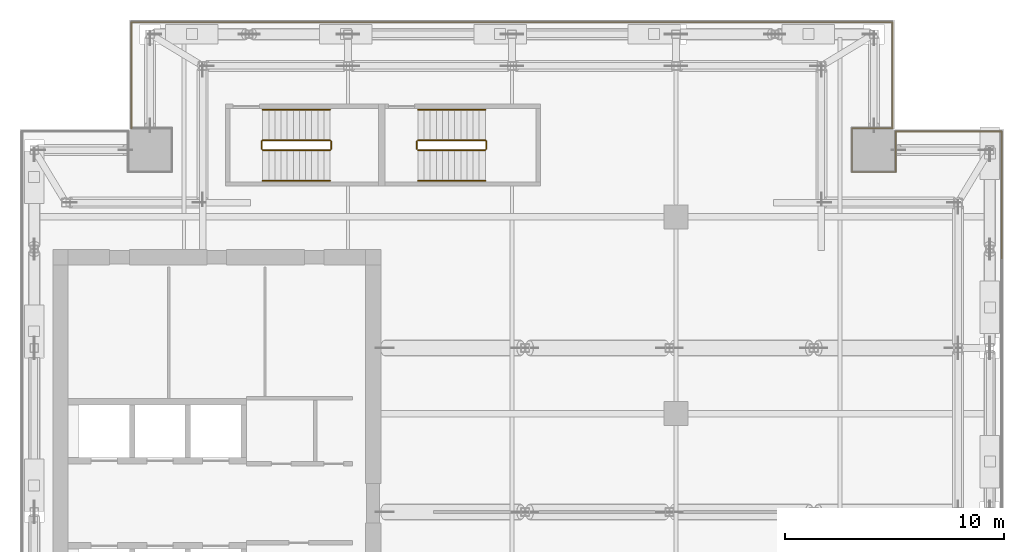
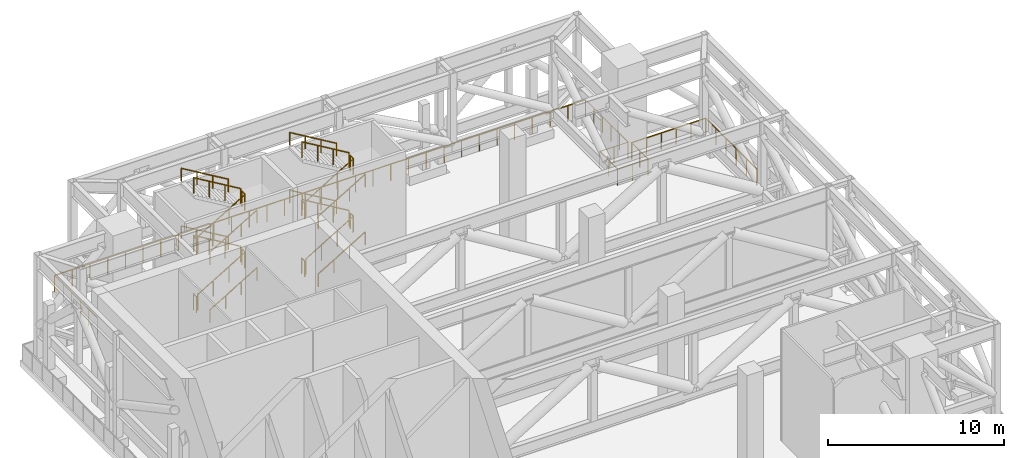
# One storey, part 14 of 15: 36 railings.
"""IFC4 building model written with IfcOpenShell, lengths in metres."""

from ifc_helpers import new_model, si_unit, direction, frame, origin, origin_2d, place, context, subcontext, project, spatial, circle, extrude, source, transform, mapped, material, type_object, element, save


model = new_model("IFC4")

# Units and contexts
model_context = context("Model", 3, precision=1e-05, world=origin(), true_north=direction((0.0, 1.0)))
body_context = subcontext(model_context, "Body", "Model", "MODEL_VIEW")
ifc_project = project(units=[si_unit("LENGTHUNIT", "METRE"), si_unit("AREAUNIT", "SQUARE_METRE"), si_unit("VOLUMEUNIT", "CUBIC_METRE"), si_unit("PLANEANGLEUNIT", "RADIAN"), si_unit("MASSUNIT", "GRAM", prefix="KILO")], contexts=[model_context])

# Site, building, storey
site_placement = place(None, origin())
site = spatial("IfcSite", under=ifc_project, at=site_placement, CompositionType="ELEMENT")
building_placement = place(site_placement, origin())
building = spatial("IfcBuilding", under=site, at=building_placement, Name="Khomas Fold Tower", CompositionType="ELEMENT")
storey_placement = place(building_placement, frame((0.0, 0.0, 274.199951171875)))
storey = spatial("IfcBuildingStorey", under=building, at=storey_placement, Name="L62", CompositionType="ELEMENT", Elevation=274.199951171875)

# Railings
ifc_material_1 = material(Name="Powder-coated steel", Category="steel")
railing_type_1 = type_object("IfcRailingType", Name="Balcony guard", PredefinedType="GUARDRAIL", material=ifc_material_1)
shared_shape_1 = source(origin(), body_context, "Body", "SweptSolid", [
    extrude(circle(Radius=0.02490234375, at=origin_2d()), frame((0.0, 0.0, 1.125), z_axis=(1.0, 0.0, 0.0), x_axis=(0.0, 1.0, 0.0)), (0.0, 0.0, 1.0), 4.849853515625),
    extrude(circle(Radius=0.02001953125, at=origin_2d()), origin(), (0.0, 0.0, 1.0), 1.099853515625),
    extrude(circle(Radius=0.02001953125, at=origin_2d()), frame((0.969970703125, 0.0, 0.0)), (0.0, 0.0, 1.0), 1.099853515625),
    extrude(circle(Radius=0.02001953125, at=origin_2d()), frame((1.93994140625, 0.0, 0.0)), (0.0, 0.0, 1.0), 1.099853515625),
    extrude(circle(Radius=0.02001953125, at=origin_2d()), frame((2.909912109375, 0.0, 0.0)), (0.0, 0.0, 1.0), 1.099853515625),
    extrude(circle(Radius=0.02001953125, at=origin_2d()), frame((3.8798828125, 0.0, 0.0)), (0.0, 0.0, 1.0), 1.099853515625),
    extrude(circle(Radius=0.02001953125, at=origin_2d()), frame((4.849853515625, 0.0, 0.0)), (0.0, 0.0, 1.0), 1.099853515625),
])
railing_1_placement = place(storey_placement, frame((44.550048828125, 44.39990234375, 0.0)))
element("IfcRailing", 1, at=railing_1_placement, inside=storey, type_object=railing_type_1, Name="GUARD 221", PredefinedType="GUARDRAIL", context=body_context, shape_type="MappedRepresentation", body=[
    mapped(shared_shape_1, transform((0.0, 0.0, 0.0))),
])
shared_shape_2 = source(origin(), body_context, "Body", "SweptSolid", [
    extrude(circle(Radius=0.02490234375, at=origin_2d()), frame((0.0, 0.0, 1.125), z_axis=(0.0, 1.0, 0.0), x_axis=(-1.0, 0.0, 0.0)), (0.0, 0.0, 1.0), 4.849853515625),
    extrude(circle(Radius=0.02001953125, at=origin_2d()), origin(), (0.0, 0.0, 1.0), 1.099853515625),
    extrude(circle(Radius=0.02001953125, at=origin_2d()), frame((0.0, 0.969970703125, 0.0)), (0.0, 0.0, 1.0), 1.099853515625),
    extrude(circle(Radius=0.02001953125, at=origin_2d()), frame((0.0, 1.93994140625, 0.0)), (0.0, 0.0, 1.0), 1.099853515625),
    extrude(circle(Radius=0.02001953125, at=origin_2d()), frame((0.0, 2.909912109375, 0.0)), (0.0, 0.0, 1.0), 1.099853515625),
    extrude(circle(Radius=0.02001953125, at=origin_2d()), frame((0.0, 3.8798828125, 0.0)), (0.0, 0.0, 1.0), 1.099853515625),
    extrude(circle(Radius=0.02001953125, at=origin_2d()), frame((0.0, 4.849853515625, 0.0)), (0.0, 0.0, 1.0), 1.099853515625),
])
railing_2_placement = place(storey_placement, frame((9.60009765625, 44.550048828125, 0.0)))
element("IfcRailing", 2, at=railing_2_placement, inside=storey, type_object=railing_type_1, Name="GUARD 221", PredefinedType="GUARDRAIL", context=body_context, shape_type="MappedRepresentation", body=[
    mapped(shared_shape_2, transform((0.0, 0.0, 0.0))),
])
shared_shape_3 = source(origin(), body_context, "Body", "SweptSolid", [
    extrude(circle(Radius=0.02490234375, at=origin_2d()), frame((0.0, 0.0, 1.125), z_axis=(1.0, 0.0, 0.0), x_axis=(0.0, 1.0, 0.0)), (0.0, 0.0, 1.0), 5.7998046875),
    extrude(circle(Radius=0.02001953125, at=origin_2d()), origin(), (0.0, 0.0, 1.0), 1.099853515625),
    extrude(circle(Radius=0.02001953125, at=origin_2d()), frame((1.159912109375, 0.0, 0.0)), (0.0, 0.0, 1.0), 1.099853515625),
    extrude(circle(Radius=0.02001953125, at=origin_2d()), frame((2.31982421875, 0.0, 0.0)), (0.0, 0.0, 1.0), 1.099853515625),
    extrude(circle(Radius=0.02001953125, at=origin_2d()), frame((3.47998046875, 0.0, 0.0)), (0.0, 0.0, 1.0), 1.099853515625),
    extrude(circle(Radius=0.02001953125, at=origin_2d()), frame((4.639892578125, 0.0, 0.0)), (0.0, 0.0, 1.0), 1.099853515625),
    extrude(circle(Radius=0.02001953125, at=origin_2d()), frame((5.7998046875, 0.0, 0.0)), (0.0, 0.0, 1.0), 1.099853515625),
])
for number, where, name in (
    (3, (9.60009765625, 49.39990234375, 0.0), "GUARD 221"),
    (4, (38.60009765625, 49.39990234375, 0.0), "GUARD 221"),
):
    element("IfcRailing", number, at=place(storey_placement, frame(where)), inside=storey, type_object=railing_type_1, Name=name, PredefinedType="GUARDRAIL", context=body_context, shape_type="MappedRepresentation", body=[
        mapped(shared_shape_3, transform((0.0, 0.0, 0.0))),
    ])
shared_shape_4 = source(origin(), body_context, "Body", "SweptSolid", [
    extrude(circle(Radius=0.02490234375, at=origin_2d()), frame((0.0, 0.0, 1.125), z_axis=(1.0, 0.0, 0.0), x_axis=(0.0, 1.0, 0.0)), (0.0, 0.0, 1.0), 5.800048828125),
    extrude(circle(Radius=0.02001953125, at=origin_2d()), origin(), (0.0, 0.0, 1.0), 1.099853515625),
    extrude(circle(Radius=0.02001953125, at=origin_2d()), frame((1.159912109375, 0.0, 0.0)), (0.0, 0.0, 1.0), 1.099853515625),
    extrude(circle(Radius=0.02001953125, at=origin_2d()), frame((2.320068359375, 0.0, 0.0)), (0.0, 0.0, 1.0), 1.099853515625),
    extrude(circle(Radius=0.02001953125, at=origin_2d()), frame((3.47998046875, 0.0, 0.0)), (0.0, 0.0, 1.0), 1.099853515625),
    extrude(circle(Radius=0.02001953125, at=origin_2d()), frame((4.64013671875, 0.0, 0.0)), (0.0, 0.0, 1.0), 1.099853515625),
    extrude(circle(Radius=0.02001953125, at=origin_2d()), frame((5.800048828125, 0.0, 0.0)), (0.0, 0.0, 1.0), 1.099853515625),
])
for number, where, name in (
    (5, (15.39990234375, 49.39990234375, 0.0), "GUARD 221"),
    (6, (21.199951171875, 49.39990234375, 0.0), "GUARD 221"),
    (7, (27.0, 49.39990234375, 0.0), "GUARD 221"),
    (8, (32.800048828125, 49.39990234375, 0.0), "GUARD 221"),
):
    element("IfcRailing", number, at=place(storey_placement, frame(where)), inside=storey, type_object=railing_type_1, Name=name, PredefinedType="GUARDRAIL", context=body_context, shape_type="MappedRepresentation", body=[
        mapped(shared_shape_4, transform((0.0, 0.0, 0.0))),
    ])
shared_shape_5 = source(origin(), body_context, "Body", "SweptSolid", [
    extrude(circle(Radius=0.02490234375, at=origin_2d()), frame((0.0, 0.0, 1.125), z_axis=(0.0, -1.0, 0.0), x_axis=(1.0, 0.0, 0.0)), (0.0, 0.0, 1.0), 4.849853515625),
    extrude(circle(Radius=0.02001953125, at=origin_2d()), origin(), (0.0, 0.0, 1.0), 1.099853515625),
    extrude(circle(Radius=0.02001953125, at=origin_2d()), frame((0.0, -0.969970703125, 0.0)), (0.0, 0.0, 1.0), 1.099853515625),
    extrude(circle(Radius=0.02001953125, at=origin_2d()), frame((0.0, -1.93994140625, 0.0)), (0.0, 0.0, 1.0), 1.099853515625),
    extrude(circle(Radius=0.02001953125, at=origin_2d()), frame((0.0, -2.909912109375, 0.0)), (0.0, 0.0, 1.0), 1.099853515625),
    extrude(circle(Radius=0.02001953125, at=origin_2d()), frame((0.0, -3.8798828125, 0.0)), (0.0, 0.0, 1.0), 1.099853515625),
    extrude(circle(Radius=0.02001953125, at=origin_2d()), frame((0.0, -4.849853515625, 0.0)), (0.0, 0.0, 1.0), 1.099853515625),
])
railing_3_placement = place(storey_placement, frame((44.39990234375, 49.39990234375, 0.0)))
element("IfcRailing", 9, at=railing_3_placement, inside=storey, type_object=railing_type_1, Name="GUARD 221", PredefinedType="GUARDRAIL", context=body_context, shape_type="MappedRepresentation", body=[
    mapped(shared_shape_5, transform((0.0, 0.0, 0.0))),
])
shared_shape_6 = source(origin(), body_context, "Body", "SweptSolid", [
    extrude(circle(Radius=0.02490234375, at=origin_2d()), frame((0.0, 0.0, 1.125), z_axis=(-1.0, 0.0, 0.0), x_axis=(0.0, -1.0, 0.0)), (0.0, 0.0, 1.0), 1.849853515625),
    extrude(circle(Radius=0.02490234375, at=origin_2d()), frame((-1.849853515625, 0.0, 1.125), z_axis=(0.0, -1.0, 0.0), x_axis=(1.0, 0.0, 0.0)), (0.0, 0.0, 1.0), 2.0),
    extrude(circle(Radius=0.02490234375, at=origin_2d()), frame((-1.849853515625, -2.0, 1.125), z_axis=(1.0, 0.0, 0.0), x_axis=(0.0, 1.0, 0.0)), (0.0, 0.0, 1.0), 2.0),
    extrude(circle(Radius=0.02001953125, at=origin_2d()), origin(), (0.0, 0.0, 1.0), 1.099853515625),
    extrude(circle(Radius=0.02001953125, at=origin_2d()), frame((-0.9248046875, 0.0, 0.0)), (0.0, 0.0, 1.0), 1.099853515625),
    extrude(circle(Radius=0.02001953125, at=origin_2d()), frame((-1.849853515625, 0.0, 0.0)), (0.0, 0.0, 1.0), 1.099853515625),
    extrude(circle(Radius=0.02001953125, at=origin_2d()), frame((-1.849853515625, -1.0, 0.0)), (0.0, 0.0, 1.0), 1.099853515625),
    extrude(circle(Radius=0.02001953125, at=origin_2d()), frame((-1.849853515625, -2.0, 0.0)), (0.0, 0.0, 1.0), 1.099853515625),
    extrude(circle(Radius=0.02001953125, at=origin_2d()), frame((-0.849853515625, -2.0, 0.0)), (0.0, 0.0, 1.0), 1.099853515625),
    extrude(circle(Radius=0.02001953125, at=origin_2d()), frame((0.150146484375, -2.0, 0.0)), (0.0, 0.0, 1.0), 1.099853515625),
])
railing_4_placement = place(storey_placement, frame((44.39990234375, 44.550048828125, 0.0)))
element("IfcRailing", 10, at=railing_4_placement, inside=storey, type_object=railing_type_1, Name="GUARD 221", PredefinedType="GUARDRAIL", context=body_context, shape_type="MappedRepresentation", body=[
    mapped(shared_shape_6, transform((0.0, 0.0, 0.0))),
])
shared_shape_7 = source(origin(), body_context, "Body", "SweptSolid", [
    extrude(circle(Radius=0.02490234375, at=origin_2d()), frame((0.0, 0.0, 1.125), z_axis=(0.0, 1.0, 0.0), x_axis=(-1.0, 0.0, 0.0)), (0.0, 0.0, 1.0), 1.849853515625),
    extrude(circle(Radius=0.02001953125, at=origin_2d()), origin(), (0.0, 0.0, 1.0), 1.099853515625),
    extrude(circle(Radius=0.02001953125, at=origin_2d()), frame((0.0, 0.9248046875, 0.0)), (0.0, 0.0, 1.0), 1.099853515625),
    extrude(circle(Radius=0.02001953125, at=origin_2d()), frame((0.0, 1.849853515625, 0.0)), (0.0, 0.0, 1.0), 1.099853515625),
])
railing_5_placement = place(storey_placement, frame((44.550048828125, 42.550048828125, 0.0)))
element("IfcRailing", 11, at=railing_5_placement, inside=storey, type_object=railing_type_1, Name="GUARD 221", PredefinedType="GUARDRAIL", context=body_context, shape_type="MappedRepresentation", body=[
    mapped(shared_shape_7, transform((0.0, 0.0, 0.0))),
])
shared_shape_8 = source(origin(), body_context, "Body", "SweptSolid", [
    extrude(circle(Radius=0.02490234375, at=origin_2d()), frame((0.0, 0.0, 1.125), z_axis=(0.0, -1.0, 0.0), x_axis=(1.0, 0.0, 0.0)), (0.0, 0.0, 1.0), 5.7998046875),
    extrude(circle(Radius=0.02001953125, at=origin_2d()), origin(), (0.0, 0.0, 1.0), 1.099853515625),
    extrude(circle(Radius=0.02001953125, at=origin_2d()), frame((0.0, -1.159912109375, 0.0)), (0.0, 0.0, 1.0), 1.099853515625),
    extrude(circle(Radius=0.02001953125, at=origin_2d()), frame((0.0, -2.31982421875, 0.0)), (0.0, 0.0, 1.0), 1.099853515625),
    extrude(circle(Radius=0.02001953125, at=origin_2d()), frame((0.0, -3.47998046875, 0.0)), (0.0, 0.0, 1.0), 1.099853515625),
    extrude(circle(Radius=0.02001953125, at=origin_2d()), frame((0.0, -4.639892578125, 0.0)), (0.0, 0.0, 1.0), 1.099853515625),
    extrude(circle(Radius=0.02001953125, at=origin_2d()), frame((0.0, -5.7998046875, 0.0)), (0.0, 0.0, 1.0), 1.099853515625),
])
railing_6_placement = place(storey_placement, frame((49.39990234375, 44.39990234375, 0.0)))
element("IfcRailing", 12, at=railing_6_placement, inside=storey, type_object=railing_type_1, Name="GUARD 221", PredefinedType="GUARDRAIL", context=body_context, shape_type="MappedRepresentation", body=[
    mapped(shared_shape_8, transform((0.0, 0.0, 0.0))),
])
ifc_material_2 = material(Name="Steel balustrade", Category="steel")
railing_type_2 = type_object("IfcRailingType", Name="Stair guard", PredefinedType="GUARDRAIL", material=ifc_material_2)
shared_shape_9 = source(origin(), body_context, "Body", "SweptSolid", [
    extrude(circle(Radius=0.02392578125, at=origin_2d()), frame((0.0, 0.0, 1.076171875), z_axis=(0.0, 1.0, 0.0), x_axis=(-1.0, 0.0, 0.0)), (0.0, 0.0, 1.0), 0.349853515625),
    extrude(circle(Radius=0.02099609375, at=origin_2d()), origin(), (0.0, 0.0, 1.0), 1.052001953125),
    extrude(circle(Radius=0.02099609375, at=origin_2d()), frame((0.0, 0.349853515625, 0.0)), (0.0, 0.0, 1.0), 1.052001953125),
])
for number, where, name in (
    (13, (18.72998046875, 43.60009765625, 2.0), "L62 ST1 stair guard 2"),
    (14, (15.550048828125, 43.60009765625, 4.0), "L62 ST1 stair guard 4"),
    (15, (18.72998046875, 43.60009765625, 6.0), "L62 ST1 stair guard 6"),
    (16, (15.550048828125, 43.60009765625, 0.0), "L62 ST1 stair guard 8"),
    (17, (25.830078125, 43.60009765625, 2.0), "L62 ST3 stair guard 2"),
    (18, (22.64990234375, 43.60009765625, 4.0), "L62 ST3 stair guard 4"),
    (19, (25.830078125, 43.60009765625, 6.0), "L62 ST3 stair guard 6"),
    (20, (22.64990234375, 43.60009765625, 0.0), "L62 ST3 stair guard 8"),
):
    element("IfcRailing", number, at=place(storey_placement, frame(where)), inside=storey, type_object=railing_type_2, Name=name, PredefinedType="GUARDRAIL", context=body_context, shape_type="MappedRepresentation", body=[
        mapped(shared_shape_9, transform((0.0, 0.0, 0.0))),
    ])
shared_shape_10 = source(origin(), body_context, "Body", "SweptSolid", [
    extrude(circle(Radius=0.02392578125, at=origin_2d()), frame((0.0, 0.0, 1.076171875), z_axis=(0.859290745958, 0.0, 0.51148745235), x_axis=(0.0, 1.0, 0.0)), (0.0, 0.0, 1.0), 3.584228515625),
    extrude(circle(Radius=0.02099609375, at=origin_2d()), origin(), (0.0, 0.0, 1.0), 1.052001953125),
    extrude(circle(Radius=0.02099609375, at=origin_2d()), frame((1.026611328125, 0.0, 0.611083984375)), (0.0, 0.0, 1.0), 1.052001953125),
    extrude(circle(Radius=0.02099609375, at=origin_2d()), frame((2.05322265625, 0.0, 1.22216796875)), (0.0, 0.0, 1.0), 1.052001953125),
    extrude(circle(Radius=0.02099609375, at=origin_2d()), frame((3.079833984375, 0.0, 1.833251953125)), (0.0, 0.0, 1.0), 1.052001953125),
])
for number, where, name in (
    (21, (15.60009765625, 43.550048828125, 0.166748046875), "L62 ST1 stair guard 1"),
    (22, (15.60009765625, 43.550048828125, 4.166748046875), "L62 ST1 stair guard 5"),
):
    element("IfcRailing", number, at=place(storey_placement, frame(where)), inside=storey, type_object=railing_type_2, Name=name, PredefinedType="GUARDRAIL", context=body_context, shape_type="MappedRepresentation", body=[
        mapped(shared_shape_10, transform((0.0, 0.0, 0.0))),
    ])
shared_shape_11 = source(origin(), body_context, "Body", "SweptSolid", [
    extrude(circle(Radius=0.02392578125, at=origin_2d()), frame((0.0, 0.0, 1.076171875), z_axis=(-0.859290745958, 0.0, 0.51148745235), x_axis=(0.0, -1.0, 0.0)), (0.0, 0.0, 1.0), 3.584228515625),
    extrude(circle(Radius=0.02099609375, at=origin_2d()), origin(), (0.0, 0.0, 1.0), 1.052001953125),
    extrude(circle(Radius=0.02099609375, at=origin_2d()), frame((-1.026611328125, 0.0, 0.611083984375)), (0.0, 0.0, 1.0), 1.052001953125),
    extrude(circle(Radius=0.02099609375, at=origin_2d()), frame((-2.05322265625, 0.0, 1.22216796875)), (0.0, 0.0, 1.0), 1.052001953125),
    extrude(circle(Radius=0.02099609375, at=origin_2d()), frame((-3.079833984375, 0.0, 1.833251953125)), (0.0, 0.0, 1.0), 1.052001953125),
])
for number, where, name in (
    (23, (18.679931640625, 44.0, 2.166748046875), "L62 ST1 stair guard 3"),
    (24, (18.679931640625, 44.0, 6.166748046875), "L62 ST1 stair guard 7"),
):
    element("IfcRailing", number, at=place(storey_placement, frame(where)), inside=storey, type_object=railing_type_2, Name=name, PredefinedType="GUARDRAIL", context=body_context, shape_type="MappedRepresentation", body=[
        mapped(shared_shape_11, transform((0.0, 0.0, 0.0))),
    ])
ifc_material_3 = material(Name="Steel handrail", Category="steel")
railing_type_3 = type_object("IfcRailingType", Name="Stair handrail", PredefinedType="HANDRAIL", material=ifc_material_3)
shared_shape_12 = source(origin(), body_context, "Body", "SweptSolid", [
    extrude(circle(Radius=0.02392578125, at=origin_2d()), frame((0.0, 0.0, 0.8759765625), z_axis=(0.859290745958, 0.0, 0.51148745235), x_axis=(0.0, 1.0, 0.0)), (0.0, 0.0, 1.0), 3.584228515625),
    extrude(circle(Radius=0.02099609375, at=origin_2d()), origin(), (0.0, 0.0, 1.0), 0.851806640625),
    extrude(circle(Radius=0.02099609375, at=origin_2d()), frame((1.026611328125, 0.0, 0.611083984375)), (0.0, 0.0, 1.0), 0.851806640625),
    extrude(circle(Radius=0.02099609375, at=origin_2d()), frame((2.05322265625, 0.0, 1.22216796875)), (0.0, 0.0, 1.0), 0.851806640625),
    extrude(circle(Radius=0.02099609375, at=origin_2d()), frame((3.079833984375, 0.0, 1.833251953125)), (0.0, 0.0, 1.0), 0.851806640625),
])
for number, where, name in (
    (25, (15.60009765625, 42.14990234375, 0.166748046875), "L62 ST1 stair handrail 1"),
    (26, (15.60009765625, 42.14990234375, 4.166748046875), "L62 ST1 stair handrail 3"),
):
    element("IfcRailing", number, at=place(storey_placement, frame(where)), inside=storey, type_object=railing_type_3, Name=name, PredefinedType="HANDRAIL", context=body_context, shape_type="MappedRepresentation", body=[
        mapped(shared_shape_12, transform((0.0, 0.0, 0.0))),
    ])
shared_shape_13 = source(origin(), body_context, "Body", "SweptSolid", [
    extrude(circle(Radius=0.02392578125, at=origin_2d()), frame((0.0, 0.0, 0.8759765625), z_axis=(-0.859290745958, 0.0, 0.51148745235), x_axis=(0.0, -1.0, 0.0)), (0.0, 0.0, 1.0), 3.584228515625),
    extrude(circle(Radius=0.02099609375, at=origin_2d()), origin(), (0.0, 0.0, 1.0), 0.851806640625),
    extrude(circle(Radius=0.02099609375, at=origin_2d()), frame((-1.026611328125, 0.0, 0.611083984375)), (0.0, 0.0, 1.0), 0.851806640625),
    extrude(circle(Radius=0.02099609375, at=origin_2d()), frame((-2.05322265625, 0.0, 1.22216796875)), (0.0, 0.0, 1.0), 0.851806640625),
    extrude(circle(Radius=0.02099609375, at=origin_2d()), frame((-3.079833984375, 0.0, 1.833251953125)), (0.0, 0.0, 1.0), 0.851806640625),
])
for number, where, name in (
    (27, (18.679931640625, 45.39990234375, 2.166748046875), "L62 ST1 stair handrail 2"),
    (28, (18.679931640625, 45.39990234375, 6.166748046875), "L62 ST1 stair handrail 4"),
):
    element("IfcRailing", number, at=place(storey_placement, frame(where)), inside=storey, type_object=railing_type_3, Name=name, PredefinedType="HANDRAIL", context=body_context, shape_type="MappedRepresentation", body=[
        mapped(shared_shape_13, transform((0.0, 0.0, 0.0))),
    ])
shared_shape_14 = source(origin(), body_context, "Body", "SweptSolid", [
    extrude(circle(Radius=0.02392578125, at=origin_2d()), frame((0.0, 0.0, 1.076171875), z_axis=(0.859308565015, 0.0, 0.511457515432), x_axis=(0.0, 1.0, 0.0)), (0.0, 0.0, 1.0), 3.58447265625),
    extrude(circle(Radius=0.02099609375, at=origin_2d()), origin(), (0.0, 0.0, 1.0), 1.052001953125),
    extrude(circle(Radius=0.02099609375, at=origin_2d()), frame((1.026611328125, 0.0, 0.611083984375)), (0.0, 0.0, 1.0), 1.052001953125),
    extrude(circle(Radius=0.02099609375, at=origin_2d()), frame((2.053466796875, 0.0, 1.22216796875)), (0.0, 0.0, 1.0), 1.052001953125),
    extrude(circle(Radius=0.02099609375, at=origin_2d()), frame((3.080078125, 0.0, 1.833251953125)), (0.0, 0.0, 1.0), 1.052001953125),
])
for number, where, name in (
    (29, (22.699951171875, 43.550048828125, 0.166748046875), "L62 ST3 stair guard 1"),
    (30, (22.699951171875, 43.550048828125, 4.166748046875), "L62 ST3 stair guard 5"),
):
    element("IfcRailing", number, at=place(storey_placement, frame(where)), inside=storey, type_object=railing_type_2, Name=name, PredefinedType="GUARDRAIL", context=body_context, shape_type="MappedRepresentation", body=[
        mapped(shared_shape_14, transform((0.0, 0.0, 0.0))),
    ])
shared_shape_15 = source(origin(), body_context, "Body", "SweptSolid", [
    extrude(circle(Radius=0.02392578125, at=origin_2d()), frame((0.0, 0.0, 1.076171875), z_axis=(-0.859308565015, 0.0, 0.511457515432), x_axis=(0.0, -1.0, 0.0)), (0.0, 0.0, 1.0), 3.58447265625),
    extrude(circle(Radius=0.02099609375, at=origin_2d()), origin(), (0.0, 0.0, 1.0), 1.052001953125),
    extrude(circle(Radius=0.02099609375, at=origin_2d()), frame((-1.026611328125, 0.0, 0.611083984375)), (0.0, 0.0, 1.0), 1.052001953125),
    extrude(circle(Radius=0.02099609375, at=origin_2d()), frame((-2.053466796875, 0.0, 1.22216796875)), (0.0, 0.0, 1.0), 1.052001953125),
    extrude(circle(Radius=0.02099609375, at=origin_2d()), frame((-3.080078125, 0.0, 1.833251953125)), (0.0, 0.0, 1.0), 1.052001953125),
])
for number, where, name in (
    (31, (25.780029296875, 44.0, 2.166748046875), "L62 ST3 stair guard 3"),
    (32, (25.780029296875, 44.0, 6.166748046875), "L62 ST3 stair guard 7"),
):
    element("IfcRailing", number, at=place(storey_placement, frame(where)), inside=storey, type_object=railing_type_2, Name=name, PredefinedType="GUARDRAIL", context=body_context, shape_type="MappedRepresentation", body=[
        mapped(shared_shape_15, transform((0.0, 0.0, 0.0))),
    ])
shared_shape_16 = source(origin(), body_context, "Body", "SweptSolid", [
    extrude(circle(Radius=0.02392578125, at=origin_2d()), frame((0.0, 0.0, 0.8759765625), z_axis=(0.859308565015, 0.0, 0.511457515432), x_axis=(0.0, 1.0, 0.0)), (0.0, 0.0, 1.0), 3.58447265625),
    extrude(circle(Radius=0.02099609375, at=origin_2d()), origin(), (0.0, 0.0, 1.0), 0.851806640625),
    extrude(circle(Radius=0.02099609375, at=origin_2d()), frame((1.026611328125, 0.0, 0.611083984375)), (0.0, 0.0, 1.0), 0.851806640625),
    extrude(circle(Radius=0.02099609375, at=origin_2d()), frame((2.053466796875, 0.0, 1.22216796875)), (0.0, 0.0, 1.0), 0.851806640625),
    extrude(circle(Radius=0.02099609375, at=origin_2d()), frame((3.080078125, 0.0, 1.833251953125)), (0.0, 0.0, 1.0), 0.851806640625),
])
for number, where, name in (
    (33, (22.699951171875, 42.14990234375, 0.166748046875), "L62 ST3 stair handrail 1"),
    (34, (22.699951171875, 42.14990234375, 4.166748046875), "L62 ST3 stair handrail 3"),
):
    element("IfcRailing", number, at=place(storey_placement, frame(where)), inside=storey, type_object=railing_type_3, Name=name, PredefinedType="HANDRAIL", context=body_context, shape_type="MappedRepresentation", body=[
        mapped(shared_shape_16, transform((0.0, 0.0, 0.0))),
    ])
shared_shape_17 = source(origin(), body_context, "Body", "SweptSolid", [
    extrude(circle(Radius=0.02392578125, at=origin_2d()), frame((0.0, 0.0, 0.8759765625), z_axis=(-0.859308565015, 0.0, 0.511457515432), x_axis=(0.0, -1.0, 0.0)), (0.0, 0.0, 1.0), 3.58447265625),
    extrude(circle(Radius=0.02099609375, at=origin_2d()), origin(), (0.0, 0.0, 1.0), 0.851806640625),
    extrude(circle(Radius=0.02099609375, at=origin_2d()), frame((-1.026611328125, 0.0, 0.611083984375)), (0.0, 0.0, 1.0), 0.851806640625),
    extrude(circle(Radius=0.02099609375, at=origin_2d()), frame((-2.053466796875, 0.0, 1.22216796875)), (0.0, 0.0, 1.0), 0.851806640625),
    extrude(circle(Radius=0.02099609375, at=origin_2d()), frame((-3.080078125, 0.0, 1.833251953125)), (0.0, 0.0, 1.0), 0.851806640625),
])
for number, where, name in (
    (35, (25.780029296875, 45.39990234375, 2.166748046875), "L62 ST3 stair handrail 2"),
    (36, (25.780029296875, 45.39990234375, 6.166748046875), "L62 ST3 stair handrail 4"),
):
    element("IfcRailing", number, at=place(storey_placement, frame(where)), inside=storey, type_object=railing_type_3, Name=name, PredefinedType="HANDRAIL", context=body_context, shape_type="MappedRepresentation", body=[
        mapped(shared_shape_17, transform((0.0, 0.0, 0.0))),
    ])

save(model, "model.ifc")
